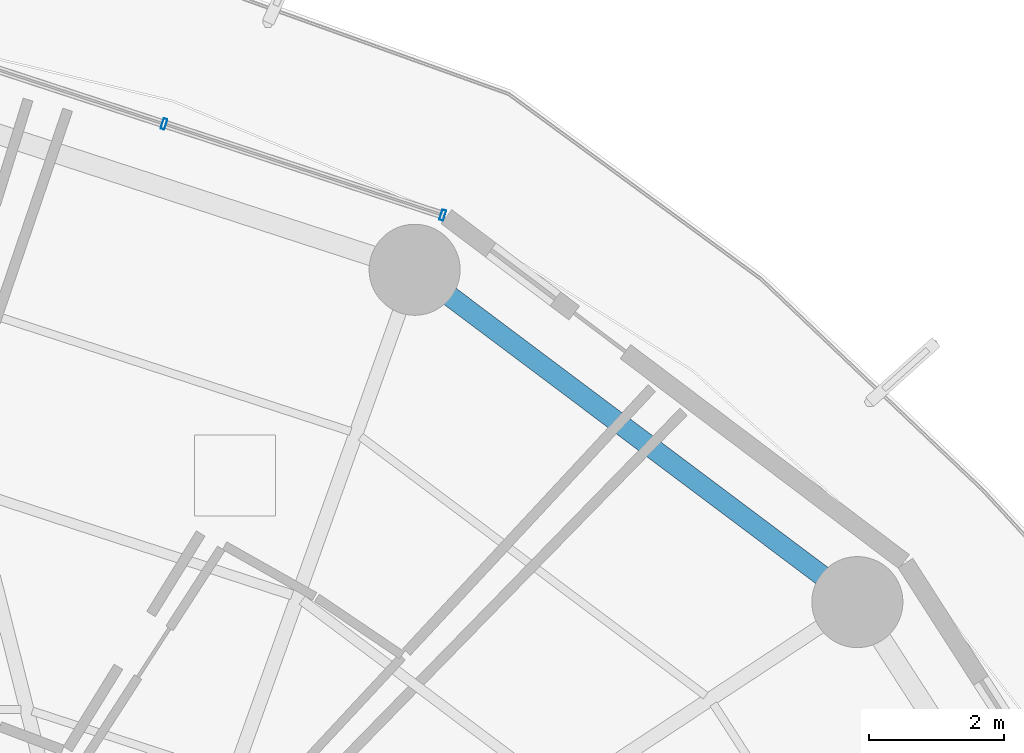
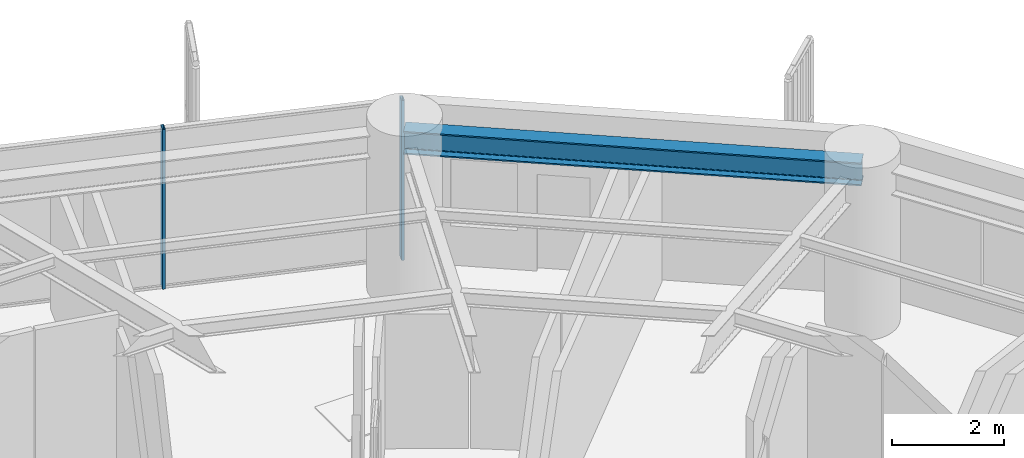
# One storey, part 24 of 35: 2 members, 1 beam, 1 element without a shape of its own.
"""IFC4 building model written with IfcOpenShell, lengths in metres."""

import ifcopenshell
import ifcopenshell.guid

model = None  # the IFC model being written
_history = None  # IfcOwnerHistory: only IFC2X3 demands one
_inside = {}  # id of a spatial element -> (the spatial element, [elements in it])
_under = {}  # id of a project, library or spatial element -> (it, [spatial elements below it])
_declared = {}  # id of a project -> (the project, [libraries it declares])
_typed = {}  # id of a type object -> (the type object, [elements of that type])
_made_of = {}  # id of a material, layer set ... -> (it, [elements and type objects made of it])


def new_model(schema):
    """Start an empty IFC model of exactly this schema.

    Asked for "IFC4X3", IfcOpenShell would pick the latest addendum, in which some entities
    have other attributes; the version numbers below select the first issue.
    IFC2X3 requires an IfcOwnerHistory on every rooted entity: one is made here for all.
    """
    global model, _history
    if schema == "IFC4X3":
        model = ifcopenshell.file(schema_version=(4, 3, 0, 0))
    else:
        model = ifcopenshell.file(schema=schema)
    _inside.clear()
    _under.clear()
    _declared.clear()
    _typed.clear()
    _made_of.clear()
    _history = None
    if model.schema == "IFC2X3":
        org = make("IfcOrganization", Name="unknown")
        user = make(
            "IfcPersonAndOrganization",
            ThePerson=make("IfcPerson", FamilyName="unknown"),
            TheOrganization=org,
        )
        app = make(
            "IfcApplication",
            ApplicationDeveloper=org,
            Version="unknown",
            ApplicationFullName="unknown",
            ApplicationIdentifier="unknown",
        )
        _history = make(
            "IfcOwnerHistory",
            OwningUser=user,
            OwningApplication=app,
            ChangeAction="ADDED",
            CreationDate=0,
        )
    return model


def make(cls, **values):
    """One entity of the class cls with the attributes given. An attribute that is None is left unset."""
    return model.create_entity(
        cls, **{name: value for name, value in values.items() if value is not None}
    )


def rooted(cls, **values):
    """An entity with a GlobalId (a new one), such as an element, a storey or a relation."""
    return make(cls, GlobalId=ifcopenshell.guid.new(), OwnerHistory=_history, **values)


def si_unit(unit_type, name, prefix=None):
    """IfcSIUnit, for example si_unit("LENGTHUNIT", "METRE", prefix="MILLI")."""
    return make("IfcSIUnit", UnitType=unit_type, Prefix=prefix, Name=name)


def assignment(units):
    """IfcUnitAssignment: the units of a project."""
    return None if units is None else make("IfcUnitAssignment", Units=units)


def point(xyz):
    """IfcCartesianPoint."""
    return None if xyz is None else make("IfcCartesianPoint", Coordinates=xyz)


def direction(xyz):
    """IfcDirection."""
    return None if xyz is None else make("IfcDirection", DirectionRatios=xyz)


def frame(location, z_axis=None, x_axis=None):
    """IfcAxis2Placement3D, a coordinate frame: its origin and axes. An axis left out is left unset."""
    return make(
        "IfcAxis2Placement3D",
        Location=point(location),
        Axis=direction(z_axis),
        RefDirection=direction(x_axis),
    )


def frame_2d(location, x_axis=None):
    """IfcAxis2Placement2D, a coordinate frame in the plane: its origin and x axis."""
    return make(
        "IfcAxis2Placement2D", Location=point(location), RefDirection=direction(x_axis)
    )


def origin():
    """The frame at (0, 0, 0) with its axes left unset."""
    return frame((0.0, 0.0, 0.0))


def origin_2d():
    """The frame at (0, 0) in the plane with its x axis left unset."""
    return frame_2d((0.0, 0.0))


def place(relative_to, where):
    """IfcLocalPlacement: puts the frame where relative to a parent placement (None: the world)."""
    return make(
        "IfcLocalPlacement", PlacementRelTo=relative_to, RelativePlacement=where
    )


def context(
    kind, dimensions, precision=None, world=None, true_north=None, identifier=None
):
    """IfcGeometricRepresentationContext, for example the 3D "Model" context."""
    return make(
        "IfcGeometricRepresentationContext",
        ContextIdentifier=identifier,
        ContextType=kind,
        CoordinateSpaceDimension=dimensions,
        Precision=precision,
        WorldCoordinateSystem=world,
        TrueNorth=true_north,
    )


def subcontext(parent, identifier, kind, view, scale=None):
    """IfcGeometricRepresentationSubContext, for example "Body" below "Model"."""
    return make(
        "IfcGeometricRepresentationSubContext",
        ContextIdentifier=identifier,
        ContextType=kind,
        ParentContext=parent,
        TargetScale=scale,
        TargetView=view,
    )


def project(units=None, contexts=None):
    """IfcProject with its units and contexts."""
    return rooted(
        "IfcProject",
        Name="project",
        RepresentationContexts=contexts,
        UnitsInContext=assignment(units),
    )


def spatial(cls, under=None, at=None, **own):
    """A site, building, storey or space (cls), placed at a placement, below another one or the project."""
    s = rooted(cls, ObjectPlacement=at, **own)
    if under is not None:
        _under.setdefault(under.id(), (under, []))[1].append(s)
    return s


def profile(cls, at=None, kind="AREA", **sizes):
    """A parametric profile (cls). Its sizes go by their IFC names, for example OverallWidth=200.0."""
    return make(cls, ProfileType=kind, Position=at, **sizes)


def hollow_rectangle(**sizes):
    """IfcRectangleHollowProfileDef."""
    return profile("IfcRectangleHollowProfileDef", **sizes)


def i_section(**sizes):
    """IfcIShapeProfileDef."""
    return profile("IfcIShapeProfileDef", **sizes)


def extrude(swept, where, along, depth):
    """IfcExtrudedAreaSolid: the profile swept, set in the frame where, extruded along a direction by depth."""
    return make(
        "IfcExtrudedAreaSolid",
        SweptArea=swept,
        Position=where,
        ExtrudedDirection=direction(along),
        Depth=depth,
    )


def shape(context_of_items, identifier, shape_type, items):
    """IfcShapeRepresentation: the items that make up one representation, for example the "Body"."""
    return make(
        "IfcShapeRepresentation",
        ContextOfItems=context_of_items,
        RepresentationIdentifier=identifier,
        RepresentationType=shape_type,
        Items=items,
    )


def material(Name=None, Category=None):
    """IfcMaterial."""
    return make("IfcMaterial", Name=Name, Category=Category)


def layer(
    of_material, thickness, ventilated=None, Name=None, Category=None, Priority=None
):
    """IfcMaterialLayer: one layer of a wall or slab, of a material (None: an air gap)."""
    return make(
        "IfcMaterialLayer",
        Material=of_material,
        LayerThickness=thickness,
        IsVentilated=ventilated,
        Name=Name,
        Category=Category,
        Priority=Priority,
    )


def layer_set(layers, Name=None):
    """IfcMaterialLayerSet."""
    return make("IfcMaterialLayerSet", MaterialLayers=layers, LayerSetName=Name)


def material_profile(
    of_material, cross_section, Name=None, Category=None, Priority=None
):
    """IfcMaterialProfile: a cross section and its material."""
    return make(
        "IfcMaterialProfile",
        Name=Name,
        Material=of_material,
        Profile=cross_section,
        Priority=Priority,
        Category=Category,
    )


def profile_set(profiles, Name=None, composite=None):
    """IfcMaterialProfileSet."""
    return make(
        "IfcMaterialProfileSet",
        Name=Name,
        MaterialProfiles=profiles,
        CompositeProfile=composite,
    )


def made_of(thing, what):
    """Note that an element or type object is made of a material, layer set ...; save() writes the relation."""
    if what is not None:
        _made_of.setdefault(what.id(), (what, []))[1].append(thing)
    return thing


def type_object(cls, material=None, **own):
    """A type object (cls), such as IfcWallType, which elements share."""
    return made_of(rooted(cls, **own), material)


def element(
    cls,
    number,
    at=None,
    inside=None,
    cuts=None,
    type_object=None,
    material=None,
    context=None,
    identifier="Body",
    shape_type=None,
    held_by="IfcProductDefinitionShape",
    body=None,
    shapes=None,
    **own,
):
    """One element of the class cls, such as IfcWall. Its Tag is "e" and its number.

    at: its placement. inside: the storey or other place that contains it. cuts: it is an
    opening in that element (IfcRelVoidsElement). A single representation is given by context,
    identifier, shape_type and body (its items); several are given by shapes. held_by: the class
    of the entity that holds the representations. save() writes the other relations.
    """
    e = rooted(cls, Tag="e%d" % number, ObjectPlacement=at, **own)
    if body is not None:
        shapes = [shape(context, identifier, shape_type, body)]
    if shapes is not None:
        e.Representation = make(held_by, Representations=shapes)
    if inside is not None:
        _inside.setdefault(inside.id(), (inside, []))[1].append(e)
    if cuts is not None:
        rooted(
            "IfcRelVoidsElement", RelatingBuildingElement=cuts, RelatedOpeningElement=e
        )
    if type_object is not None:
        _typed.setdefault(type_object.id(), (type_object, []))[1].append(e)
    return made_of(e, material)


def aggregate(whole, parts):
    """IfcRelAggregates: a whole, such as a stair, and the parts it consists of."""
    return rooted("IfcRelAggregates", RelatingObject=whole, RelatedObjects=parts)


def save(model, path):
    """Write the relations noted so far, then the file.

    IfcRelAggregates (storeys below a building ...), IfcRelContainedInSpatialStructure (elements
    in a storey), IfcRelDefinesByType, IfcRelAssociatesMaterial and IfcRelDeclares: one each for
    every whole, place, type object, material and project.
    """
    for whole, parts in _under.values():
        aggregate(whole, parts)
    for where, things in _inside.values():
        rooted(
            "IfcRelContainedInSpatialStructure",
            RelatedElements=things,
            RelatingStructure=where,
        )
    for kind, things in _typed.values():
        rooted("IfcRelDefinesByType", RelatedObjects=things, RelatingType=kind)
    for what, things in _made_of.values():
        rooted("IfcRelAssociatesMaterial", RelatedObjects=things, RelatingMaterial=what)
    for by, libraries in _declared.values():
        rooted("IfcRelDeclares", RelatingContext=by, RelatedDefinitions=libraries)
    model.write(path)


model = new_model("IFC4")

# Units and contexts
model_context = context("Model", 3, precision=1e-05, world=origin(), true_north=direction((0.0, 1.0)))
body_context = subcontext(model_context, "Body", "Model", "MODEL_VIEW")
ifc_project = project(units=[si_unit("LENGTHUNIT", "METRE"), si_unit("AREAUNIT", "SQUARE_METRE"), si_unit("VOLUMEUNIT", "CUBIC_METRE"), si_unit("PLANEANGLEUNIT", "RADIAN"), si_unit("MASSUNIT", "GRAM", prefix="KILO")], contexts=[model_context])

# Site, building, storey
site_placement = place(None, origin())
site = spatial("IfcSite", under=ifc_project, at=site_placement, CompositionType="ELEMENT")
building_placement = place(site_placement, origin())
building = spatial("IfcBuilding", under=site, at=building_placement, Name="Kelanora Arch Commons", CompositionType="ELEMENT")
storey_placement = place(building_placement, frame((0.0, 0.0, 87.60009765625)))
storey = spatial("IfcBuildingStorey", under=building, at=storey_placement, Name="L22", CompositionType="ELEMENT", Elevation=87.60009765625)

# Beam
ifc_material_1 = material(Name="Steel S355", Category="steel")
ifc_material_profile_1 = material_profile(ifc_material_1, i_section(OverallWidth=0.300048828125, OverallDepth=0.5, WebThickness=0.014404296875, FlangeThickness=0.028076171875, FilletRadius=0.027099609375, at=origin_2d()), Name="HEB500")
ifc_profile_set_1 = profile_set([ifc_material_profile_1], Name="Steel S355")
beam_type = type_object("IfcBeamType", Name="BM-SPN-Z2", PredefinedType="SPANDREL", material=ifc_profile_set_1)
beam_placement = place(storey_placement, frame((92.906005859375, 72.19287109375, 3.239990234375), z_axis=(-0.799735861602, 0.600352023123, 0.0), x_axis=(-0.600352023123, -0.799735861602, 0.0)))
element("IfcBeam", 1, at=beam_placement, inside=storey, type_object=beam_type, Name="Perimeter Spandrel Beam BS-04 L22", PredefinedType="SPANDREL", context=body_context, shape_type="SweptSolid", body=[
    extrude(i_section(OverallWidth=0.300048828125, OverallDepth=0.5, WebThickness=0.014404296875, FlangeThickness=0.028076171875, FilletRadius=0.027099609375, at=origin_2d()), origin(), (0.0, 0.0, 1.0), 8.210205078125),
])

# Curtain wall, members
ifc_material_2 = material(Name="Terracotta ceramic-fritted low-E glass and aluminium", Category="masonry")
ifc_layer = layer(ifc_material_2, 0.159912109375)
ifc_layer_set = layer_set([ifc_layer], Name="Terracotta ceramic-fritted low-E glass and aluminium")
curtain_wall_type = type_object("IfcCurtainWallType", Name="CW-SYS-01", PredefinedType="NOTDEFINED", material=ifc_layer_set)
curtain_wall_placement = place(storey_placement, origin())
curtain_wall = element("IfcCurtainWall", 2, at=curtain_wall_placement, inside=storey, type_object=curtain_wall_type, Name="Unitised Curtain Wall L22-B03", PredefinedType="NOTDEFINED")
ifc_material_3 = material(Name="Powder-coated aluminium terracotta", Category="masonry")
ifc_material_profile_2 = material_profile(ifc_material_3, hollow_rectangle(XDim=0.159912109375, YDim=0.06005859375, WallThickness=0.0048828125, InnerFilletRadius=0.0048828125, OuterFilletRadius=0.010009765625, at=origin_2d()), Name="CWM160x60")
ifc_profile_set_2 = profile_set([ifc_material_profile_2], Name="Powder-coated aluminium terracotta")
member_type = type_object("IfcMemberType", Name="CWM-STD", PredefinedType="MULLION", material=ifc_profile_set_2)
member_1_placement = place(storey_placement, frame((86.757080078125, 77.9326171875, 0.0), z_axis=(0.0, 0.0, 1.0), x_axis=(-0.31080470294, -0.950473795867, 0.0)))
member_1 = element("IfcMember", 3, at=member_1_placement, type_object=member_type, Name="CW-01 mullion 1", PredefinedType="MULLION", context=body_context, shape_type="SweptSolid", body=[
    extrude(hollow_rectangle(XDim=0.159912109375, YDim=0.06005859375, WallThickness=0.0048828125, InnerFilletRadius=0.0048828125, OuterFilletRadius=0.010009765625, at=origin_2d()), origin(), (0.0, 0.0, 1.0), 3.474853515625),
])
member_2_placement = place(storey_placement, frame((82.622802734375, 79.28466796875, 0.0), z_axis=(0.0, 0.0, 1.0), x_axis=(-0.31080470294, -0.950473795867, 0.0)))
member_2 = element("IfcMember", 4, at=member_2_placement, type_object=member_type, Name="CW-01 mullion 2", PredefinedType="MULLION", context=body_context, shape_type="SweptSolid", body=[
    extrude(hollow_rectangle(XDim=0.159912109375, YDim=0.06005859375, WallThickness=0.0048828125, InnerFilletRadius=0.0048828125, OuterFilletRadius=0.010009765625, at=origin_2d()), origin(), (0.0, 0.0, 1.0), 3.474853515625),
])
aggregate(curtain_wall, [member_1, member_2])

save(model, "model.ifc")
